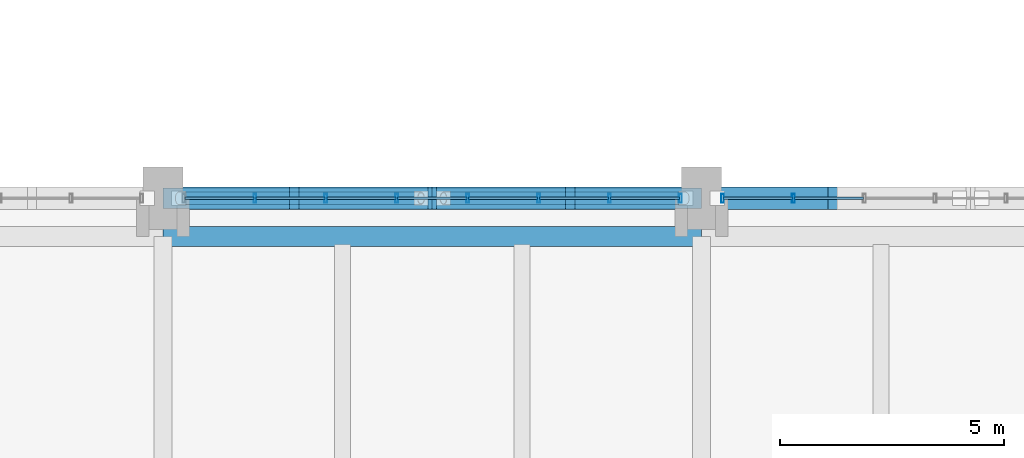
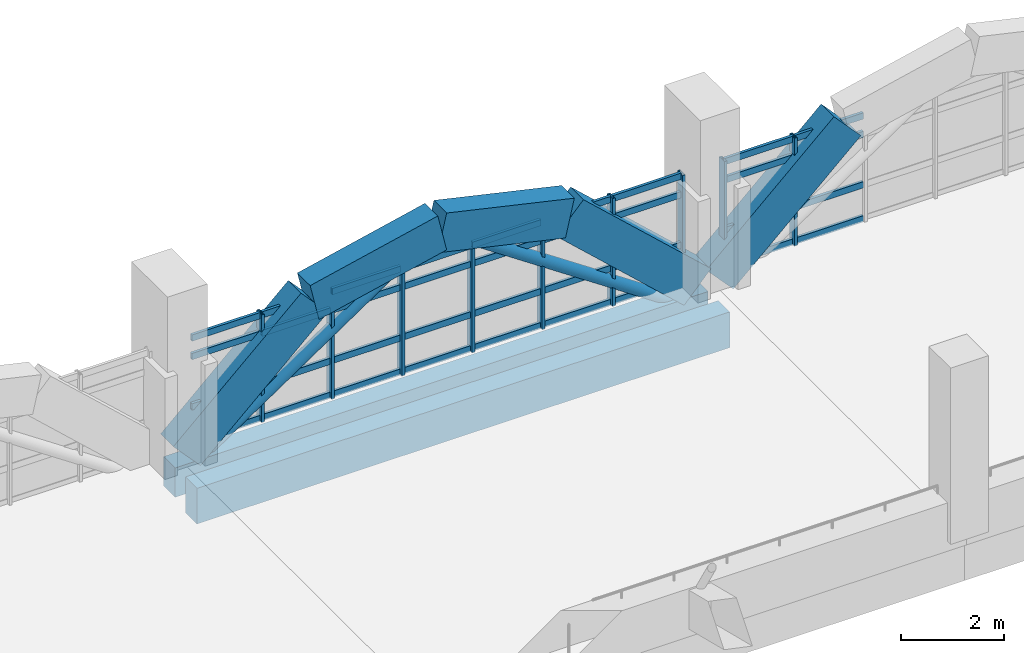
# One storey, part 34 of 161: 47 members, 7 beams, 2 elements without a shape of their own.
"""IFC4 building model written with IfcOpenShell, lengths in metres."""

from ifc_helpers import new_model, si_unit, direction, frame, origin, origin_2d, place, context, subcontext, project, spatial, rectangle, hollow_rectangle, hollow_circle, extrude, material, layer, layer_set, material_profile, profile_set, type_object, element, aggregate, save


model = new_model("IFC4")

# Units and contexts
model_context = context("Model", 3, precision=1e-05, world=origin(), true_north=direction((0.0, 1.0)))
body_context = subcontext(model_context, "Body", "Model", "MODEL_VIEW")
ifc_project = project(units=[si_unit("LENGTHUNIT", "METRE"), si_unit("AREAUNIT", "SQUARE_METRE"), si_unit("VOLUMEUNIT", "CUBIC_METRE"), si_unit("PLANEANGLEUNIT", "RADIAN"), si_unit("MASSUNIT", "GRAM", prefix="KILO")], contexts=[model_context])

# Site, building, storey
site_placement = place(None, origin())
site = spatial("IfcSite", under=ifc_project, at=site_placement, CompositionType="ELEMENT")
building_placement = place(site_placement, origin())
building = spatial("IfcBuilding", under=site, at=building_placement, Name="Mersad Railyard Sports Hall", CompositionType="ELEMENT")
storey_placement = place(building_placement, frame((0.0, 0.0, 4.800048828125)))
storey = spatial("IfcBuildingStorey", under=building, at=storey_placement, Name="L01", CompositionType="ELEMENT", Elevation=4.800048828125)

# Curtain wall, members
ifc_material_1 = material(Name="Aluminium 6063-T6", Category="aluminium")
ifc_layer = layer(ifc_material_1, 0.199951171875)
ifc_layer_set = layer_set([ifc_layer], Name="Aluminium 6063-T6")
curtain_wall_type = type_object("IfcCurtainWallType", Name="ARC-CW-CW02", PredefinedType="USERDEFINED", material=ifc_layer_set)
curtain_wall_1_placement = place(storey_placement, origin())
curtain_wall_1 = element("IfcCurtainWall", 1, at=curtain_wall_1_placement, inside=storey, type_object=curtain_wall_type, Name="Curtain wall CW02-0016", ObjectType="CURTAIN WALL", PredefinedType="USERDEFINED")
ifc_material_profile_1 = material_profile(ifc_material_1, hollow_rectangle(XDim=0.06494140625, YDim=0.199951171875, WallThickness=0.0048828125, at=origin_2d()), Name="AL MULLION 65x200x5")
ifc_profile_set_1 = profile_set([ifc_material_profile_1], Name="Aluminium 6063-T6")
member_type_1 = type_object("IfcMemberType", Name="ARC-CW-MUL02", PredefinedType="MULLION", material=ifc_profile_set_1)
member_1_placement = place(storey_placement, frame((57.050048828125, 53.5, -0.02001953125), z_axis=(0.0, 0.0, 1.0), x_axis=(1.0, 0.0, 0.0)))
member_1 = element("IfcMember", 2, at=member_1_placement, type_object=member_type_1, Name="CW02 Mullion 2", PredefinedType="MULLION", context=body_context, shape_type="SweptSolid", body=[
    extrude(hollow_rectangle(XDim=0.06494140625, YDim=0.199951171875, WallThickness=0.0048828125, at=origin_2d()), origin(), (0.0, 0.0, 1.0), 2.570068359375),
])
member_2_placement = place(storey_placement, frame((58.6298828125, 53.5, -0.02001953125), z_axis=(0.0, 0.0, 1.0), x_axis=(1.0, 0.0, 0.0)))
member_2 = element("IfcMember", 3, at=member_2_placement, type_object=member_type_1, Name="CW02 Mullion 3", PredefinedType="MULLION", context=body_context, shape_type="SweptSolid", body=[
    extrude(hollow_rectangle(XDim=0.06494140625, YDim=0.199951171875, WallThickness=0.0048828125, at=origin_2d()), origin(), (0.0, 0.0, 1.0), 2.570068359375),
])
member_3_placement = place(storey_placement, frame((60.2099609375, 53.5, -0.02001953125), z_axis=(0.0, 0.0, 1.0), x_axis=(1.0, 0.0, 0.0)))
member_3 = element("IfcMember", 4, at=member_3_placement, type_object=member_type_1, Name="CW02 Mullion 4", PredefinedType="MULLION", context=body_context, shape_type="SweptSolid", body=[
    extrude(hollow_rectangle(XDim=0.06494140625, YDim=0.199951171875, WallThickness=0.0048828125, at=origin_2d()), origin(), (0.0, 0.0, 1.0), 2.570068359375),
])
member_4_placement = place(storey_placement, frame((61.7900390625, 53.5, -0.02001953125), z_axis=(0.0, 0.0, 1.0), x_axis=(1.0, 0.0, 0.0)))
member_4 = element("IfcMember", 5, at=member_4_placement, type_object=member_type_1, Name="CW02 Mullion 5", PredefinedType="MULLION", context=body_context, shape_type="SweptSolid", body=[
    extrude(hollow_rectangle(XDim=0.06494140625, YDim=0.199951171875, WallThickness=0.0048828125, at=origin_2d()), origin(), (0.0, 0.0, 1.0), 2.570068359375),
])
member_5_placement = place(storey_placement, frame((63.3701171875, 53.5, -0.02001953125), z_axis=(0.0, 0.0, 1.0), x_axis=(1.0, 0.0, 0.0)))
member_5 = element("IfcMember", 6, at=member_5_placement, type_object=member_type_1, Name="CW02 Mullion 6", PredefinedType="MULLION", context=body_context, shape_type="SweptSolid", body=[
    extrude(hollow_rectangle(XDim=0.06494140625, YDim=0.199951171875, WallThickness=0.0048828125, at=origin_2d()), origin(), (0.0, 0.0, 1.0), 2.570068359375),
])
member_6_placement = place(storey_placement, frame((64.949951171875, 53.5, -0.02001953125), z_axis=(0.0, 0.0, 1.0), x_axis=(1.0, 0.0, 0.0)))
member_6 = element("IfcMember", 7, at=member_6_placement, type_object=member_type_1, Name="CW02 Mullion 7", PredefinedType="MULLION", context=body_context, shape_type="SweptSolid", body=[
    extrude(hollow_rectangle(XDim=0.06494140625, YDim=0.199951171875, WallThickness=0.0048828125, at=origin_2d()), origin(), (0.0, 0.0, 1.0), 2.570068359375),
])
member_7_placement = place(storey_placement, frame((66.530029296875, 53.5, -0.02001953125), z_axis=(0.0, 0.0, 1.0), x_axis=(1.0, 0.0, 0.0)))
member_7 = element("IfcMember", 8, at=member_7_placement, type_object=member_type_1, Name="CW02 Mullion 8", PredefinedType="MULLION", context=body_context, shape_type="SweptSolid", body=[
    extrude(hollow_rectangle(XDim=0.06494140625, YDim=0.199951171875, WallThickness=0.0048828125, at=origin_2d()), origin(), (0.0, 0.0, 1.0), 2.570068359375),
])

curtain_wall_2_placement = place(storey_placement, origin())
curtain_wall_2 = element("IfcCurtainWall", 9, at=curtain_wall_2_placement, inside=storey, type_object=curtain_wall_type, Name="Curtain wall CW02-0018", ObjectType="CURTAIN WALL", PredefinedType="USERDEFINED")
member_8_placement = place(storey_placement, frame((67.469970703125, 53.5, -0.02001953125), z_axis=(0.0, 0.0, 1.0), x_axis=(1.0, 0.0, 0.0)))
member_8 = element("IfcMember", 10, at=member_8_placement, type_object=member_type_1, Name="CW02 Mullion 1", PredefinedType="MULLION", context=body_context, shape_type="SweptSolid", body=[
    extrude(hollow_rectangle(XDim=0.06494140625, YDim=0.199951171875, WallThickness=0.0048828125, at=origin_2d()), origin(), (0.0, 0.0, 1.0), 2.570068359375),
])
member_9_placement = place(storey_placement, frame((69.050048828125, 53.5, -0.02001953125), z_axis=(0.0, 0.0, 1.0), x_axis=(1.0, 0.0, 0.0)))
member_9 = element("IfcMember", 11, at=member_9_placement, type_object=member_type_1, Name="CW02 Mullion 2", PredefinedType="MULLION", context=body_context, shape_type="SweptSolid", body=[
    extrude(hollow_rectangle(XDim=0.06494140625, YDim=0.199951171875, WallThickness=0.0048828125, at=origin_2d()), origin(), (0.0, 0.0, 1.0), 2.570068359375),
])

# Member
ifc_material_profile_2 = material_profile(ifc_material_1, hollow_rectangle(XDim=0.06494140625, YDim=0.14990234375, WallThickness=0.00439453125, at=origin_2d()), Name="AL TRANSOM 65x150x4.5")
ifc_profile_set_2 = profile_set([ifc_material_profile_2], Name="Aluminium 6063-T6")
member_type_2 = type_object("IfcMemberType", Name="ARC-CW-TRN02", PredefinedType="USERDEFINED", material=ifc_profile_set_2)
member_10_placement = place(storey_placement, frame((55.489990234375, 53.5, 0.0400390625), z_axis=(1.0, 0.0, 0.0), x_axis=(0.0, 1.0, 0.0)))
member_10 = element("IfcMember", 12, at=member_10_placement, type_object=member_type_2, Name="CW02 Transom 1-1", ObjectType="TRANSOM", PredefinedType="USERDEFINED", context=body_context, shape_type="SweptSolid", body=[
    extrude(hollow_rectangle(XDim=0.06494140625, YDim=0.14990234375, WallThickness=0.00439453125, at=origin_2d()), origin(), (0.0, 0.0, 1.0), 1.5400390625),
])

member_11_placement = place(storey_placement, frame((57.070068359375, 53.5, 0.0400390625), z_axis=(1.0, 0.0, 0.0), x_axis=(0.0, 1.0, 0.0)))
member_11 = element("IfcMember", 13, at=member_11_placement, type_object=member_type_2, Name="CW02 Transom 1-2", ObjectType="TRANSOM", PredefinedType="USERDEFINED", context=body_context, shape_type="SweptSolid", body=[
    extrude(hollow_rectangle(XDim=0.06494140625, YDim=0.14990234375, WallThickness=0.00439453125, at=origin_2d()), origin(), (0.0, 0.0, 1.0), 1.5400390625),
])

member_12_placement = place(storey_placement, frame((58.64990234375, 53.5, 0.0400390625), z_axis=(1.0, 0.0, 0.0), x_axis=(0.0, 1.0, 0.0)))
member_12 = element("IfcMember", 14, at=member_12_placement, type_object=member_type_2, Name="CW02 Transom 1-3", ObjectType="TRANSOM", PredefinedType="USERDEFINED", context=body_context, shape_type="SweptSolid", body=[
    extrude(hollow_rectangle(XDim=0.06494140625, YDim=0.14990234375, WallThickness=0.00439453125, at=origin_2d()), origin(), (0.0, 0.0, 1.0), 1.5400390625),
])

member_13_placement = place(storey_placement, frame((60.22998046875, 53.5, 0.0400390625), z_axis=(1.0, 0.0, 0.0), x_axis=(0.0, 1.0, 0.0)))
member_13 = element("IfcMember", 15, at=member_13_placement, type_object=member_type_2, Name="CW02 Transom 1-4", ObjectType="TRANSOM", PredefinedType="USERDEFINED", context=body_context, shape_type="SweptSolid", body=[
    extrude(hollow_rectangle(XDim=0.06494140625, YDim=0.14990234375, WallThickness=0.00439453125, at=origin_2d()), origin(), (0.0, 0.0, 1.0), 1.5400390625),
])

member_14_placement = place(storey_placement, frame((61.81005859375, 53.5, 0.0400390625), z_axis=(1.0, 0.0, 0.0), x_axis=(0.0, 1.0, 0.0)))
member_14 = element("IfcMember", 16, at=member_14_placement, type_object=member_type_2, Name="CW02 Transom 1-5", ObjectType="TRANSOM", PredefinedType="USERDEFINED", context=body_context, shape_type="SweptSolid", body=[
    extrude(hollow_rectangle(XDim=0.06494140625, YDim=0.14990234375, WallThickness=0.00439453125, at=origin_2d()), origin(), (0.0, 0.0, 1.0), 1.5400390625),
])

member_15_placement = place(storey_placement, frame((63.389892578125, 53.5, 0.0400390625), z_axis=(1.0, 0.0, 0.0), x_axis=(0.0, 1.0, 0.0)))
member_15 = element("IfcMember", 17, at=member_15_placement, type_object=member_type_2, Name="CW02 Transom 1-6", ObjectType="TRANSOM", PredefinedType="USERDEFINED", context=body_context, shape_type="SweptSolid", body=[
    extrude(hollow_rectangle(XDim=0.06494140625, YDim=0.14990234375, WallThickness=0.00439453125, at=origin_2d()), origin(), (0.0, 0.0, 1.0), 1.5400390625),
])

member_16_placement = place(storey_placement, frame((64.969970703125, 53.5, 0.0400390625), z_axis=(1.0, 0.0, 0.0), x_axis=(0.0, 1.0, 0.0)))
member_16 = element("IfcMember", 18, at=member_16_placement, type_object=member_type_2, Name="CW02 Transom 1-7", ObjectType="TRANSOM", PredefinedType="USERDEFINED", context=body_context, shape_type="SweptSolid", body=[
    extrude(hollow_rectangle(XDim=0.06494140625, YDim=0.14990234375, WallThickness=0.00439453125, at=origin_2d()), origin(), (0.0, 0.0, 1.0), 1.5400390625),
])

member_17_placement = place(storey_placement, frame((55.489990234375, 53.5, 0.849853515625), z_axis=(1.0, 0.0, 0.0), x_axis=(0.0, 1.0, 0.0)))
member_17 = element("IfcMember", 19, at=member_17_placement, type_object=member_type_2, Name="CW02 Transom 2-1", ObjectType="TRANSOM", PredefinedType="USERDEFINED", context=body_context, shape_type="SweptSolid", body=[
    extrude(hollow_rectangle(XDim=0.06494140625, YDim=0.14990234375, WallThickness=0.00439453125, at=origin_2d()), origin(), (0.0, 0.0, 1.0), 1.5400390625),
])

member_18_placement = place(storey_placement, frame((57.070068359375, 53.5, 0.849853515625), z_axis=(1.0, 0.0, 0.0), x_axis=(0.0, 1.0, 0.0)))
member_18 = element("IfcMember", 20, at=member_18_placement, type_object=member_type_2, Name="CW02 Transom 2-2", ObjectType="TRANSOM", PredefinedType="USERDEFINED", context=body_context, shape_type="SweptSolid", body=[
    extrude(hollow_rectangle(XDim=0.06494140625, YDim=0.14990234375, WallThickness=0.00439453125, at=origin_2d()), origin(), (0.0, 0.0, 1.0), 1.5400390625),
])

member_19_placement = place(storey_placement, frame((58.64990234375, 53.5, 0.849853515625), z_axis=(1.0, 0.0, 0.0), x_axis=(0.0, 1.0, 0.0)))
member_19 = element("IfcMember", 21, at=member_19_placement, type_object=member_type_2, Name="CW02 Transom 2-3", ObjectType="TRANSOM", PredefinedType="USERDEFINED", context=body_context, shape_type="SweptSolid", body=[
    extrude(hollow_rectangle(XDim=0.06494140625, YDim=0.14990234375, WallThickness=0.00439453125, at=origin_2d()), origin(), (0.0, 0.0, 1.0), 1.5400390625),
])

member_20_placement = place(storey_placement, frame((60.22998046875, 53.5, 0.849853515625), z_axis=(1.0, 0.0, 0.0), x_axis=(0.0, 1.0, 0.0)))
member_20 = element("IfcMember", 22, at=member_20_placement, type_object=member_type_2, Name="CW02 Transom 2-4", ObjectType="TRANSOM", PredefinedType="USERDEFINED", context=body_context, shape_type="SweptSolid", body=[
    extrude(hollow_rectangle(XDim=0.06494140625, YDim=0.14990234375, WallThickness=0.00439453125, at=origin_2d()), origin(), (0.0, 0.0, 1.0), 1.5400390625),
])

member_21_placement = place(storey_placement, frame((61.81005859375, 53.5, 0.849853515625), z_axis=(1.0, 0.0, 0.0), x_axis=(0.0, 1.0, 0.0)))
member_21 = element("IfcMember", 23, at=member_21_placement, type_object=member_type_2, Name="CW02 Transom 2-5", ObjectType="TRANSOM", PredefinedType="USERDEFINED", context=body_context, shape_type="SweptSolid", body=[
    extrude(hollow_rectangle(XDim=0.06494140625, YDim=0.14990234375, WallThickness=0.00439453125, at=origin_2d()), origin(), (0.0, 0.0, 1.0), 1.5400390625),
])

member_22_placement = place(storey_placement, frame((63.389892578125, 53.5, 0.849853515625), z_axis=(1.0, 0.0, 0.0), x_axis=(0.0, 1.0, 0.0)))
member_22 = element("IfcMember", 24, at=member_22_placement, type_object=member_type_2, Name="CW02 Transom 2-6", ObjectType="TRANSOM", PredefinedType="USERDEFINED", context=body_context, shape_type="SweptSolid", body=[
    extrude(hollow_rectangle(XDim=0.06494140625, YDim=0.14990234375, WallThickness=0.00439453125, at=origin_2d()), origin(), (0.0, 0.0, 1.0), 1.5400390625),
])

member_23_placement = place(storey_placement, frame((64.969970703125, 53.5, 0.849853515625), z_axis=(1.0, 0.0, 0.0), x_axis=(0.0, 1.0, 0.0)))
member_23 = element("IfcMember", 25, at=member_23_placement, type_object=member_type_2, Name="CW02 Transom 2-7", ObjectType="TRANSOM", PredefinedType="USERDEFINED", context=body_context, shape_type="SweptSolid", body=[
    extrude(hollow_rectangle(XDim=0.06494140625, YDim=0.14990234375, WallThickness=0.00439453125, at=origin_2d()), origin(), (0.0, 0.0, 1.0), 1.5400390625),
])

member_24_placement = place(storey_placement, frame((55.489990234375, 53.5, 2.050048828125), z_axis=(1.0, 0.0, 0.0), x_axis=(0.0, 1.0, 0.0)))
member_24 = element("IfcMember", 26, at=member_24_placement, type_object=member_type_2, Name="CW02 Transom 3-1", ObjectType="TRANSOM", PredefinedType="USERDEFINED", context=body_context, shape_type="SweptSolid", body=[
    extrude(hollow_rectangle(XDim=0.06494140625, YDim=0.14990234375, WallThickness=0.00439453125, at=origin_2d()), origin(), (0.0, 0.0, 1.0), 1.5400390625),
])

member_25_placement = place(storey_placement, frame((57.070068359375, 53.5, 2.050048828125), z_axis=(1.0, 0.0, 0.0), x_axis=(0.0, 1.0, 0.0)))
member_25 = element("IfcMember", 27, at=member_25_placement, type_object=member_type_2, Name="CW02 Transom 3-2", ObjectType="TRANSOM", PredefinedType="USERDEFINED", context=body_context, shape_type="SweptSolid", body=[
    extrude(hollow_rectangle(XDim=0.06494140625, YDim=0.14990234375, WallThickness=0.00439453125, at=origin_2d()), origin(), (0.0, 0.0, 1.0), 1.5400390625),
])

member_26_placement = place(storey_placement, frame((58.64990234375, 53.5, 2.050048828125), z_axis=(1.0, 0.0, 0.0), x_axis=(0.0, 1.0, 0.0)))
member_26 = element("IfcMember", 28, at=member_26_placement, type_object=member_type_2, Name="CW02 Transom 3-3", ObjectType="TRANSOM", PredefinedType="USERDEFINED", context=body_context, shape_type="SweptSolid", body=[
    extrude(hollow_rectangle(XDim=0.06494140625, YDim=0.14990234375, WallThickness=0.00439453125, at=origin_2d()), origin(), (0.0, 0.0, 1.0), 1.5400390625),
])

member_27_placement = place(storey_placement, frame((60.22998046875, 53.5, 2.050048828125), z_axis=(1.0, 0.0, 0.0), x_axis=(0.0, 1.0, 0.0)))
member_27 = element("IfcMember", 29, at=member_27_placement, type_object=member_type_2, Name="CW02 Transom 3-4", ObjectType="TRANSOM", PredefinedType="USERDEFINED", context=body_context, shape_type="SweptSolid", body=[
    extrude(hollow_rectangle(XDim=0.06494140625, YDim=0.14990234375, WallThickness=0.00439453125, at=origin_2d()), origin(), (0.0, 0.0, 1.0), 1.5400390625),
])

member_28_placement = place(storey_placement, frame((61.81005859375, 53.5, 2.050048828125), z_axis=(1.0, 0.0, 0.0), x_axis=(0.0, 1.0, 0.0)))
member_28 = element("IfcMember", 30, at=member_28_placement, type_object=member_type_2, Name="CW02 Transom 3-5", ObjectType="TRANSOM", PredefinedType="USERDEFINED", context=body_context, shape_type="SweptSolid", body=[
    extrude(hollow_rectangle(XDim=0.06494140625, YDim=0.14990234375, WallThickness=0.00439453125, at=origin_2d()), origin(), (0.0, 0.0, 1.0), 1.5400390625),
])

member_29_placement = place(storey_placement, frame((63.389892578125, 53.5, 2.050048828125), z_axis=(1.0, 0.0, 0.0), x_axis=(0.0, 1.0, 0.0)))
member_29 = element("IfcMember", 31, at=member_29_placement, type_object=member_type_2, Name="CW02 Transom 3-6", ObjectType="TRANSOM", PredefinedType="USERDEFINED", context=body_context, shape_type="SweptSolid", body=[
    extrude(hollow_rectangle(XDim=0.06494140625, YDim=0.14990234375, WallThickness=0.00439453125, at=origin_2d()), origin(), (0.0, 0.0, 1.0), 1.5400390625),
])

member_30_placement = place(storey_placement, frame((64.969970703125, 53.5, 2.050048828125), z_axis=(1.0, 0.0, 0.0), x_axis=(0.0, 1.0, 0.0)))
member_30 = element("IfcMember", 32, at=member_30_placement, type_object=member_type_2, Name="CW02 Transom 3-7", ObjectType="TRANSOM", PredefinedType="USERDEFINED", context=body_context, shape_type="SweptSolid", body=[
    extrude(hollow_rectangle(XDim=0.06494140625, YDim=0.14990234375, WallThickness=0.00439453125, at=origin_2d()), origin(), (0.0, 0.0, 1.0), 1.5400390625),
])

member_31_placement = place(storey_placement, frame((55.489990234375, 53.5, 2.489990234375), z_axis=(1.0, 0.0, 0.0), x_axis=(0.0, 1.0, 0.0)))
member_31 = element("IfcMember", 33, at=member_31_placement, type_object=member_type_2, Name="CW02 Transom 4-1", ObjectType="TRANSOM", PredefinedType="USERDEFINED", context=body_context, shape_type="SweptSolid", body=[
    extrude(hollow_rectangle(XDim=0.06494140625, YDim=0.14990234375, WallThickness=0.00439453125, at=origin_2d()), origin(), (0.0, 0.0, 1.0), 1.5400390625),
])

member_32_placement = place(storey_placement, frame((57.070068359375, 53.5, 2.489990234375), z_axis=(1.0, 0.0, 0.0), x_axis=(0.0, 1.0, 0.0)))
member_32 = element("IfcMember", 34, at=member_32_placement, type_object=member_type_2, Name="CW02 Transom 4-2", ObjectType="TRANSOM", PredefinedType="USERDEFINED", context=body_context, shape_type="SweptSolid", body=[
    extrude(hollow_rectangle(XDim=0.06494140625, YDim=0.14990234375, WallThickness=0.00439453125, at=origin_2d()), origin(), (0.0, 0.0, 1.0), 1.5400390625),
])

member_33_placement = place(storey_placement, frame((58.64990234375, 53.5, 2.489990234375), z_axis=(1.0, 0.0, 0.0), x_axis=(0.0, 1.0, 0.0)))
member_33 = element("IfcMember", 35, at=member_33_placement, type_object=member_type_2, Name="CW02 Transom 4-3", ObjectType="TRANSOM", PredefinedType="USERDEFINED", context=body_context, shape_type="SweptSolid", body=[
    extrude(hollow_rectangle(XDim=0.06494140625, YDim=0.14990234375, WallThickness=0.00439453125, at=origin_2d()), origin(), (0.0, 0.0, 1.0), 1.5400390625),
])

member_34_placement = place(storey_placement, frame((60.22998046875, 53.5, 2.489990234375), z_axis=(1.0, 0.0, 0.0), x_axis=(0.0, 1.0, 0.0)))
member_34 = element("IfcMember", 36, at=member_34_placement, type_object=member_type_2, Name="CW02 Transom 4-4", ObjectType="TRANSOM", PredefinedType="USERDEFINED", context=body_context, shape_type="SweptSolid", body=[
    extrude(hollow_rectangle(XDim=0.06494140625, YDim=0.14990234375, WallThickness=0.00439453125, at=origin_2d()), origin(), (0.0, 0.0, 1.0), 1.5400390625),
])

member_35_placement = place(storey_placement, frame((61.81005859375, 53.5, 2.489990234375), z_axis=(1.0, 0.0, 0.0), x_axis=(0.0, 1.0, 0.0)))
member_35 = element("IfcMember", 37, at=member_35_placement, type_object=member_type_2, Name="CW02 Transom 4-5", ObjectType="TRANSOM", PredefinedType="USERDEFINED", context=body_context, shape_type="SweptSolid", body=[
    extrude(hollow_rectangle(XDim=0.06494140625, YDim=0.14990234375, WallThickness=0.00439453125, at=origin_2d()), origin(), (0.0, 0.0, 1.0), 1.5400390625),
])

member_36_placement = place(storey_placement, frame((63.389892578125, 53.5, 2.489990234375), z_axis=(1.0, 0.0, 0.0), x_axis=(0.0, 1.0, 0.0)))
member_36 = element("IfcMember", 38, at=member_36_placement, type_object=member_type_2, Name="CW02 Transom 4-6", ObjectType="TRANSOM", PredefinedType="USERDEFINED", context=body_context, shape_type="SweptSolid", body=[
    extrude(hollow_rectangle(XDim=0.06494140625, YDim=0.14990234375, WallThickness=0.00439453125, at=origin_2d()), origin(), (0.0, 0.0, 1.0), 1.5400390625),
])

member_37_placement = place(storey_placement, frame((64.969970703125, 53.5, 2.489990234375), z_axis=(1.0, 0.0, 0.0), x_axis=(0.0, 1.0, 0.0)))
member_37 = element("IfcMember", 39, at=member_37_placement, type_object=member_type_2, Name="CW02 Transom 4-7", ObjectType="TRANSOM", PredefinedType="USERDEFINED", context=body_context, shape_type="SweptSolid", body=[
    extrude(hollow_rectangle(XDim=0.06494140625, YDim=0.14990234375, WallThickness=0.00439453125, at=origin_2d()), origin(), (0.0, 0.0, 1.0), 1.5400390625),
])

aggregate(curtain_wall_1, [member_1, member_2, member_3, member_4, member_5, member_6, member_7, member_10, member_11, member_12, member_13, member_14, member_15, member_16, member_17, member_18, member_19, member_20, member_21, member_22, member_23, member_24, member_25, member_26, member_27, member_28, member_29, member_30, member_31, member_32, member_33, member_34, member_35, member_36, member_37])

member_38_placement = place(storey_placement, frame((67.489990234375, 53.5, 0.0400390625), z_axis=(1.0, 0.0, 0.0), x_axis=(0.0, 1.0, 0.0)))
member_38 = element("IfcMember", 40, at=member_38_placement, type_object=member_type_2, Name="CW02 Transom 1-1", ObjectType="TRANSOM", PredefinedType="USERDEFINED", context=body_context, shape_type="SweptSolid", body=[
    extrude(hollow_rectangle(XDim=0.06494140625, YDim=0.14990234375, WallThickness=0.00439453125, at=origin_2d()), origin(), (0.0, 0.0, 1.0), 1.5400390625),
])

member_39_placement = place(storey_placement, frame((69.070068359375, 53.5, 0.0400390625), z_axis=(1.0, 0.0, 0.0), x_axis=(0.0, 1.0, 0.0)))
member_39 = element("IfcMember", 41, at=member_39_placement, type_object=member_type_2, Name="CW02 Transom 1-2", ObjectType="TRANSOM", PredefinedType="USERDEFINED", context=body_context, shape_type="SweptSolid", body=[
    extrude(hollow_rectangle(XDim=0.06494140625, YDim=0.14990234375, WallThickness=0.00439453125, at=origin_2d()), origin(), (0.0, 0.0, 1.0), 1.5400390625),
])

member_40_placement = place(storey_placement, frame((67.489990234375, 53.5, 0.849853515625), z_axis=(1.0, 0.0, 0.0), x_axis=(0.0, 1.0, 0.0)))
member_40 = element("IfcMember", 42, at=member_40_placement, type_object=member_type_2, Name="CW02 Transom 2-1", ObjectType="TRANSOM", PredefinedType="USERDEFINED", context=body_context, shape_type="SweptSolid", body=[
    extrude(hollow_rectangle(XDim=0.06494140625, YDim=0.14990234375, WallThickness=0.00439453125, at=origin_2d()), origin(), (0.0, 0.0, 1.0), 1.5400390625),
])

member_41_placement = place(storey_placement, frame((69.070068359375, 53.5, 0.849853515625), z_axis=(1.0, 0.0, 0.0), x_axis=(0.0, 1.0, 0.0)))
member_41 = element("IfcMember", 43, at=member_41_placement, type_object=member_type_2, Name="CW02 Transom 2-2", ObjectType="TRANSOM", PredefinedType="USERDEFINED", context=body_context, shape_type="SweptSolid", body=[
    extrude(hollow_rectangle(XDim=0.06494140625, YDim=0.14990234375, WallThickness=0.00439453125, at=origin_2d()), origin(), (0.0, 0.0, 1.0), 1.5400390625),
])

member_42_placement = place(storey_placement, frame((67.489990234375, 53.5, 2.050048828125), z_axis=(1.0, 0.0, 0.0), x_axis=(0.0, 1.0, 0.0)))
member_42 = element("IfcMember", 44, at=member_42_placement, type_object=member_type_2, Name="CW02 Transom 3-1", ObjectType="TRANSOM", PredefinedType="USERDEFINED", context=body_context, shape_type="SweptSolid", body=[
    extrude(hollow_rectangle(XDim=0.06494140625, YDim=0.14990234375, WallThickness=0.00439453125, at=origin_2d()), origin(), (0.0, 0.0, 1.0), 1.5400390625),
])

member_43_placement = place(storey_placement, frame((69.070068359375, 53.5, 2.050048828125), z_axis=(1.0, 0.0, 0.0), x_axis=(0.0, 1.0, 0.0)))
member_43 = element("IfcMember", 45, at=member_43_placement, type_object=member_type_2, Name="CW02 Transom 3-2", ObjectType="TRANSOM", PredefinedType="USERDEFINED", context=body_context, shape_type="SweptSolid", body=[
    extrude(hollow_rectangle(XDim=0.06494140625, YDim=0.14990234375, WallThickness=0.00439453125, at=origin_2d()), origin(), (0.0, 0.0, 1.0), 1.5400390625),
])

member_44_placement = place(storey_placement, frame((67.489990234375, 53.5, 2.489990234375), z_axis=(1.0, 0.0, 0.0), x_axis=(0.0, 1.0, 0.0)))
member_44 = element("IfcMember", 46, at=member_44_placement, type_object=member_type_2, Name="CW02 Transom 4-1", ObjectType="TRANSOM", PredefinedType="USERDEFINED", context=body_context, shape_type="SweptSolid", body=[
    extrude(hollow_rectangle(XDim=0.06494140625, YDim=0.14990234375, WallThickness=0.00439453125, at=origin_2d()), origin(), (0.0, 0.0, 1.0), 1.5400390625),
])

member_45_placement = place(storey_placement, frame((69.070068359375, 53.5, 2.489990234375), z_axis=(1.0, 0.0, 0.0), x_axis=(0.0, 1.0, 0.0)))
member_45 = element("IfcMember", 47, at=member_45_placement, type_object=member_type_2, Name="CW02 Transom 4-2", ObjectType="TRANSOM", PredefinedType="USERDEFINED", context=body_context, shape_type="SweptSolid", body=[
    extrude(hollow_rectangle(XDim=0.06494140625, YDim=0.14990234375, WallThickness=0.00439453125, at=origin_2d()), origin(), (0.0, 0.0, 1.0), 1.5400390625),
])

aggregate(curtain_wall_2, [member_8, member_9, member_38, member_39, member_40, member_41, member_42, member_43, member_44, member_45])

# Beams
ifc_material_2 = material(Name="Concrete C40/50", Category="concrete")
ifc_material_profile_3 = material_profile(ifc_material_2, rectangle(XDim=0.449951171875, YDim=0.85009765625, at=origin_2d()), Name="RC 450x850")
ifc_profile_set_3 = profile_set([ifc_material_profile_3], Name="Concrete C40/50")
beam_type_1 = type_object("IfcBeamType", Name="STR-BM-B02", PredefinedType="BEAM", material=ifc_profile_set_3)
beam_1_placement = place(storey_placement, frame((55.0, 52.64990234375, -0.705078125), z_axis=(1.0, 0.0, 0.0), x_axis=(0.0, 1.0, 0.0)))
element("IfcBeam", 48, at=beam_1_placement, inside=storey, type_object=beam_type_1, Name="Beam B02-0308", PredefinedType="BEAM", context=body_context, shape_type="SweptSolid", body=[
    extrude(rectangle(XDim=0.449951171875, YDim=0.85009765625, at=origin_2d()), origin(), (0.0, 0.0, 1.0), 12.0),
])
ifc_material_3 = material(Name="Architectural concrete C40/50", Category="concrete")
ifc_material_profile_4 = material_profile(ifc_material_3, rectangle(XDim=0.449951171875, YDim=0.699951171875, at=origin_2d()), Name="RC 450x700")
ifc_profile_set_4 = profile_set([ifc_material_profile_4], Name="Architectural concrete C40/50")
beam_type_2 = type_object("IfcBeamType", Name="STR-BM-SP01", PredefinedType="SPANDREL", material=ifc_profile_set_4)
beam_2_placement = place(storey_placement, frame((55.0, 53.5, -0.66015625), z_axis=(1.0, 0.0, 0.0), x_axis=(0.0, 1.0, 0.0)))
element("IfcBeam", 49, at=beam_2_placement, inside=storey, type_object=beam_type_2, Name="Beam SP01-0365", PredefinedType="SPANDREL", context=body_context, shape_type="SweptSolid", body=[
    extrude(rectangle(XDim=0.449951171875, YDim=0.699951171875, at=origin_2d()), origin(), (0.0, 0.0, 1.0), 12.0),
])
ifc_material_4 = material(Name="Architectural concrete C50/60", Category="concrete")
ifc_material_profile_5 = material_profile(ifc_material_4, rectangle(XDim=0.5, YDim=0.89990234375, at=origin_2d()), Name="VR 500x900")
ifc_profile_set_5 = profile_set([ifc_material_profile_5], Name="Architectural concrete C50/60")
beam_type_3 = type_object("IfcBeamType", Name="STR-BM-VR02", PredefinedType="BEAM", material=ifc_profile_set_5)
beam_3_placement = place(storey_placement, frame((55.25, 53.5, -0.10009765625), z_axis=(0.735617187873, 0.0, 0.677397485164), x_axis=(0.0, 1.0, 0.0)))
element("IfcBeam", 50, at=beam_3_placement, inside=storey, type_object=beam_type_3, Name="Beam VR02-0367", PredefinedType="BEAM", context=body_context, shape_type="SweptSolid", body=[
    extrude(rectangle(XDim=0.5, YDim=0.89990234375, at=origin_2d()), origin(), (0.0, 0.0, 1.0), 3.908203125),
])
for number, where, z_axis, x_axis, name in (
    (51, (58.125, 53.5, 2.54736328125), (0.97519301708, 0.0, 0.221356227467), (0.0, 1.0, 0.0), "Beam VR02-0369"),
    (52, (61.0, 53.5, 3.199951171875), (0.97519301708, 0.0, -0.221356227467), (0.0, 1.0, 0.0), "Beam VR02-0371"),
):
    element("IfcBeam", number, at=place(storey_placement, frame(where, z_axis=z_axis, x_axis=x_axis)), inside=storey, type_object=beam_type_3, Name=name, PredefinedType="BEAM", context=body_context, shape_type="SweptSolid", body=[
        extrude(rectangle(XDim=0.5, YDim=0.89990234375, at=origin_2d()), origin(), (0.0, 0.0, 1.0), 2.9482421875),
    ])
for number, where, z_axis, x_axis, name in (
    (53, (63.875, 53.5, 2.54736328125), (0.735617187873, 0.0, -0.677397485164), (0.0, 1.0, 0.0), "Beam VR02-0373"),
    (54, (67.25, 53.5, -0.10009765625), (0.735617187873, 0.0, 0.677397485164), (0.0, 1.0, 0.0), "Beam VR02-0377"),
):
    element("IfcBeam", number, at=place(storey_placement, frame(where, z_axis=z_axis, x_axis=x_axis)), inside=storey, type_object=beam_type_3, Name=name, PredefinedType="BEAM", context=body_context, shape_type="SweptSolid", body=[
        extrude(rectangle(XDim=0.5, YDim=0.89990234375, at=origin_2d()), origin(), (0.0, 0.0, 1.0), 3.908203125),
    ])

# Members
ifc_material_5 = material(Name="Steel S355", Category="steel")
ifc_material_profile_6 = material_profile(ifc_material_5, hollow_circle(Radius=0.136474609375, WallThickness=0.012451171875, at=origin_2d()), Name="CHS 273x12.5")
ifc_profile_set_6 = profile_set([ifc_material_profile_6], Name="Steel S355")
member_type_3 = type_object("IfcMemberType", Name="STR-MEM-BR02", PredefinedType="BRACE", material=ifc_profile_set_6)
for number, where, z_axis, x_axis, name in (
    (55, (55.35009765625, 53.5, -0.6201171875), (0.829190125257, 0.0, 0.558966668215), (0.0, 1.0, 0.0), "Structural member BR02-0019"),
    (56, (66.64990234375, 53.5, -0.6201171875), (-0.829190125257, 0.0, 0.558966668215), (0.0, -1.0, 0.0), "Structural member BR02-0020"),
):
    element("IfcMember", number, at=place(storey_placement, frame(where, z_axis=z_axis, x_axis=x_axis)), inside=storey, type_object=member_type_3, Name=name, PredefinedType="BRACE", context=body_context, shape_type="SweptSolid", body=[
        extrude(hollow_circle(Radius=0.136474609375, WallThickness=0.012451171875, at=origin_2d()), origin(), (0.0, 0.0, 1.0), 6.51220703125),
    ])

save(model, "model.ifc")
